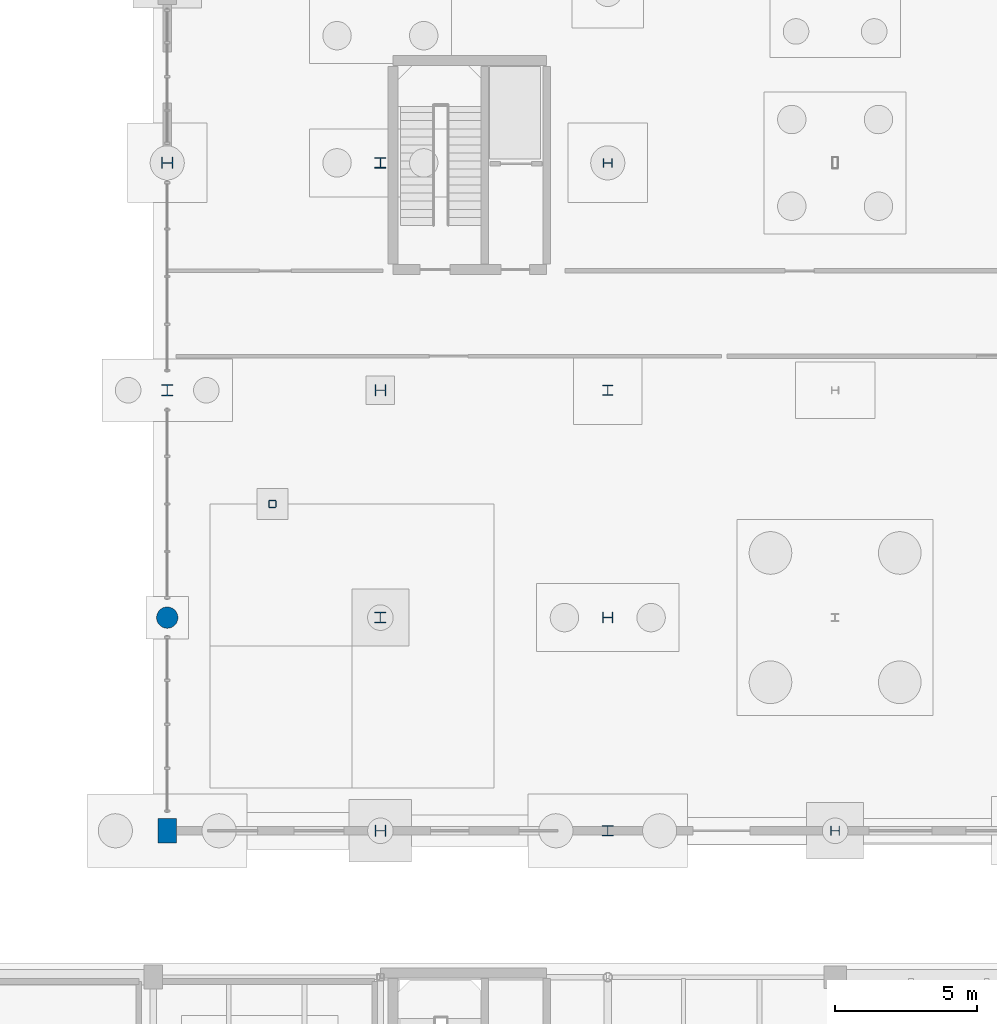
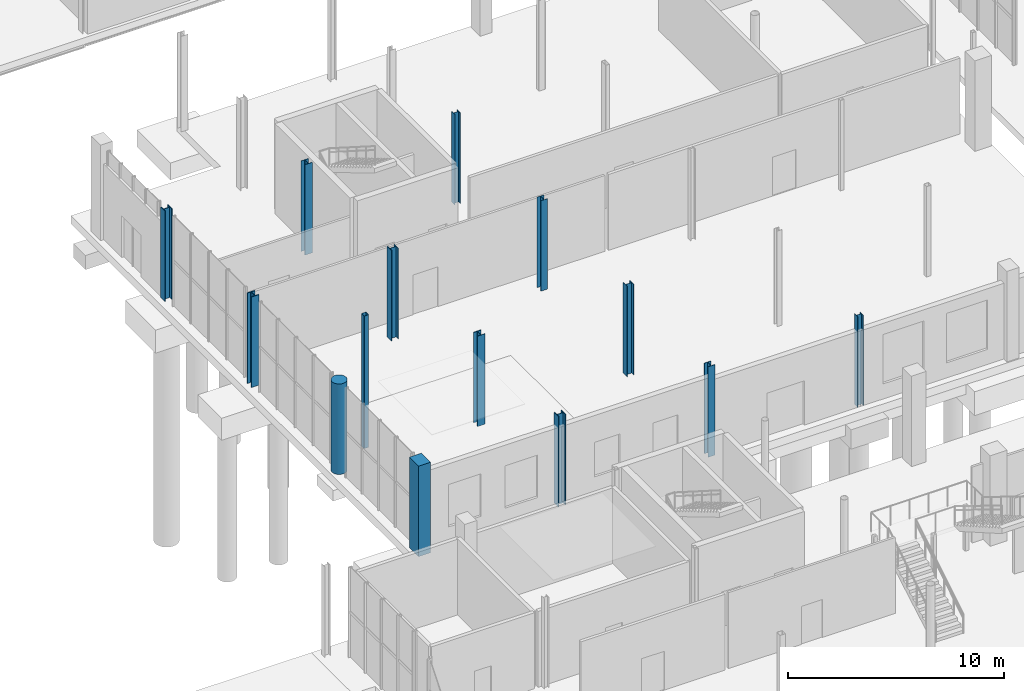
# One storey, part 9 of 87: 14 columns.
"""IFC4 building model written with IfcOpenShell, lengths in metres."""

from ifc_helpers import new_model, si_unit, direction, frame, origin, origin_2d, place, context, subcontext, project, spatial, rectangle, hollow_rectangle, circle, i_section, extrude, material, material_profile, profile_set, type_object, element, save


model = new_model("IFC4")

# Units and contexts
model_context = context("Model", 3, precision=1e-05, world=origin(), true_north=direction((0.0, 1.0)))
body_context = subcontext(model_context, "Body", "Model", "MODEL_VIEW")
ifc_project = project(units=[si_unit("LENGTHUNIT", "METRE"), si_unit("AREAUNIT", "SQUARE_METRE"), si_unit("VOLUMEUNIT", "CUBIC_METRE"), si_unit("PLANEANGLEUNIT", "RADIAN"), si_unit("MASSUNIT", "GRAM", prefix="KILO")], contexts=[model_context])

# Site, building, storey
site_placement = place(None, origin())
site = spatial("IfcSite", under=ifc_project, at=site_placement, CompositionType="ELEMENT")
building_placement = place(site_placement, origin())
building = spatial("IfcBuilding", under=site, at=building_placement, Name="Brisemont Oceanarium", CompositionType="ELEMENT")
storey_placement = place(building_placement, origin())
storey = spatial("IfcBuildingStorey", under=building, at=storey_placement, Name="L00", CompositionType="ELEMENT", Elevation=0.0)

# Columns
ifc_material_1 = material(Name="Structural Steel ASTM A500 Gr.C", Category="steel")
ifc_material_profile_1 = material_profile(ifc_material_1, hollow_rectangle(XDim=0.25390625, YDim=0.25390625, WallThickness=0.01171875, InnerFilletRadius=0.01220703125, OuterFilletRadius=0.02392578125, at=origin_2d()), Name="HSS10X10X1/2")
ifc_profile_set_1 = profile_set([ifc_material_profile_1], Name="Structural Steel ASTM A500 Gr.C")
column_type_1 = type_object("IfcColumnType", Name="COL-HSS10X10", PredefinedType="COLUMN", material=ifc_profile_set_1)
column_1_placement = place(storey_placement, frame((20.199951171875, 48.0, -2.39990234375), z_axis=(0.0, 0.0, 1.0), x_axis=(1.0, 0.0, 0.0)))
element("IfcColumn", 1, at=column_1_placement, inside=storey, type_object=column_type_1, Name="V5W terrace interior pier L00.3", PredefinedType="COLUMN", context=body_context, shape_type="SweptSolid", body=[
    extrude(hollow_rectangle(XDim=0.25390625, YDim=0.25390625, WallThickness=0.01171875, InnerFilletRadius=0.01220703125, OuterFilletRadius=0.02392578125, at=origin_2d()), origin(), (0.0, 0.0, 1.0), 7.5),
])
ifc_material_2 = material(Name="Concrete C40/50", Category="concrete")
ifc_material_profile_2 = material_profile(ifc_material_2, circle(Radius=0.375, at=origin_2d()), Name="RC-COL-D750")
ifc_profile_set_2 = profile_set([ifc_material_profile_2], Name="Concrete C40/50")
column_type_2 = type_object("IfcColumnType", Name="COL-RCD750", PredefinedType="COLUMN", material=ifc_profile_set_2)
column_2_placement = place(storey_placement, frame((16.5, 44.0, 0.0), z_axis=(0.0, 0.0, 1.0), x_axis=(0.0, 1.0, 0.0)))
element("IfcColumn", 2, at=column_2_placement, inside=storey, type_object=column_type_2, Name="V5W L00 column (0,1)", PredefinedType="COLUMN", context=body_context, shape_type="SweptSolid", body=[
    extrude(circle(Radius=0.375, at=origin_2d()), origin(), (0.0, 0.0, 1.0), 5.1201171875),
])
ifc_material_3 = material(Name="Structural Steel ASTM A992 Gr.50", Category="steel")
ifc_material_profile_3 = material_profile(ifc_material_3, i_section(OverallWidth=0.304931640625, OverallDepth=0.306884765625, WebThickness=0.010009765625, FlangeThickness=0.015380859375, FilletRadius=0.012939453125, at=origin_2d()), Name="W12X65")
ifc_profile_set_3 = profile_set([ifc_material_profile_3], Name="Structural Steel ASTM A992 Gr.50")
column_type_3 = type_object("IfcColumnType", Name="COL-W12X65", PredefinedType="COLUMN", material=ifc_profile_set_3)
column_3_placement = place(storey_placement, frame((40.0, 36.5, 0.0), z_axis=(0.0, 0.0, 1.0), x_axis=(0.0, 1.0, 0.0)))
element("IfcColumn", 3, at=column_3_placement, inside=storey, type_object=column_type_3, Name="V5W L00 column (3,0)", PredefinedType="COLUMN", context=body_context, shape_type="SweptSolid", body=[
    extrude(i_section(OverallWidth=0.304931640625, OverallDepth=0.306884765625, WebThickness=0.010009765625, FlangeThickness=0.015380859375, FilletRadius=0.012939453125, at=origin_2d()), origin(), (0.0, 0.0, 1.0), 5.1201171875),
])
ifc_material_4 = material(Name="Structural Steel ASTM A992 Gr.50", Category="steel")
ifc_material_profile_4 = material_profile(ifc_material_4, i_section(OverallWidth=0.30810546875, OverallDepth=0.318115234375, WebThickness=0.01318359375, FlangeThickness=0.0205078125, FilletRadius=0.012939453125, at=origin_2d()), Name="W12X87")
ifc_profile_set_4 = profile_set([ifc_material_profile_4], Name="Structural Steel ASTM A992 Gr.50")
column_type_4 = type_object("IfcColumnType", Name="COL-W12X87", PredefinedType="COLUMN", material=ifc_profile_set_4)
column_4_placement = place(storey_placement, frame((32.0, 60.0, 0.0), z_axis=(0.0, 0.0, 1.0), x_axis=(0.0, 1.0, 0.0)))
element("IfcColumn", 4, at=column_4_placement, inside=storey, type_object=column_type_4, Name="V5W L00 column (2,3)", PredefinedType="COLUMN", context=body_context, shape_type="SweptSolid", body=[
    extrude(i_section(OverallWidth=0.30810546875, OverallDepth=0.318115234375, WebThickness=0.01318359375, FlangeThickness=0.0205078125, FilletRadius=0.012939453125, at=origin_2d()), origin(), (0.0, 0.0, 1.0), 5.1201171875),
])
ifc_material_5 = material(Name="Structural Steel ASTM A992 Gr.50", Category="steel")
ifc_material_profile_5 = material_profile(ifc_material_5, i_section(OverallWidth=0.37109375, OverallDepth=0.364013671875, WebThickness=0.01318359375, FlangeThickness=0.021728515625, FilletRadius=0.014892578125, at=origin_2d()), Name="W14X109")
ifc_profile_set_5 = profile_set([ifc_material_profile_5], Name="Structural Steel ASTM A992 Gr.50")
column_type_5 = type_object("IfcColumnType", Name="COL-W14X109", PredefinedType="COLUMN", material=ifc_profile_set_5)
column_5_placement = place(storey_placement, frame((32.0, 36.5, 0.0), z_axis=(0.0, 0.0, 1.0), x_axis=(1.0, 0.0, 0.0)))
element("IfcColumn", 5, at=column_5_placement, inside=storey, type_object=column_type_5, Name="V5W L00 column (2,0)", PredefinedType="COLUMN", context=body_context, shape_type="SweptSolid", body=[
    extrude(i_section(OverallWidth=0.37109375, OverallDepth=0.364013671875, WebThickness=0.01318359375, FlangeThickness=0.021728515625, FilletRadius=0.014892578125, at=origin_2d()), origin(), (0.0, 0.0, 1.0), 5.1201171875),
])
ifc_material_6 = material(Name="Structural Steel ASTM A992 Gr.50", Category="steel")
ifc_material_profile_6 = material_profile(ifc_material_6, i_section(OverallWidth=0.39404296875, OverallDepth=0.3759765625, WebThickness=0.017333984375, FlangeThickness=0.027587890625, FilletRadius=0.014892578125, at=origin_2d()), Name="W14X145")
ifc_profile_set_6 = profile_set([ifc_material_profile_6], Name="Structural Steel ASTM A992 Gr.50")
column_type_6 = type_object("IfcColumnType", Name="COL-W14X145", PredefinedType="COLUMN", material=ifc_profile_set_6)
column_6_placement = place(storey_placement, frame((24.0, 60.0, 0.0), z_axis=(0.0, 0.0, 1.0), x_axis=(1.0, 0.0, 0.0)))
element("IfcColumn", 6, at=column_6_placement, inside=storey, type_object=column_type_6, Name="V5W L00 column (1,3)", PredefinedType="COLUMN", context=body_context, shape_type="SweptSolid", body=[
    extrude(i_section(OverallWidth=0.39404296875, OverallDepth=0.3759765625, WebThickness=0.017333984375, FlangeThickness=0.027587890625, FilletRadius=0.014892578125, at=origin_2d()), origin(), (0.0, 0.0, 1.0), 5.1201171875),
])
ifc_material_7 = material(Name="Structural Steel ASTM A992 Gr.50", Category="steel")
ifc_material_profile_7 = material_profile(ifc_material_7, i_section(OverallWidth=0.39501953125, OverallDepth=0.3798828125, WebThickness=0.018798828125, FlangeThickness=0.0302734375, FilletRadius=0.014892578125, at=origin_2d()), Name="W14X159")
ifc_profile_set_7 = profile_set([ifc_material_profile_7], Name="Structural Steel ASTM A992 Gr.50")
column_type_7 = type_object("IfcColumnType", Name="COL-W14X159", PredefinedType="COLUMN", material=ifc_profile_set_7)
column_7_placement = place(storey_placement, frame((24.0, 52.0, 0.0), z_axis=(0.0, 0.0, 1.0), x_axis=(0.0, 1.0, 0.0)))
element("IfcColumn", 7, at=column_7_placement, inside=storey, type_object=column_type_7, Name="V5W L00 column (1,2)", PredefinedType="COLUMN", context=body_context, shape_type="SweptSolid", body=[
    extrude(i_section(OverallWidth=0.39501953125, OverallDepth=0.3798828125, WebThickness=0.018798828125, FlangeThickness=0.0302734375, FilletRadius=0.014892578125, at=origin_2d()), origin(), (0.0, 0.0, 1.0), 5.1201171875),
])
ifc_material_8 = material(Name="Structural Steel ASTM A992 Gr.50", Category="steel")
ifc_material_profile_8 = material_profile(ifc_material_8, i_section(OverallWidth=0.39892578125, OverallDepth=0.385986328125, WebThickness=0.02099609375, FlangeThickness=0.033203125, FilletRadius=0.014892578125, at=origin_2d()), Name="W14X176")
ifc_profile_set_8 = profile_set([ifc_material_profile_8], Name="Structural Steel ASTM A992 Gr.50")
column_type_8 = type_object("IfcColumnType", Name="COL-W14X176", PredefinedType="COLUMN", material=ifc_profile_set_8)
column_8_placement = place(storey_placement, frame((24.0, 44.0, 0.0), z_axis=(0.0, 0.0, 1.0), x_axis=(1.0, 0.0, 0.0)))
element("IfcColumn", 8, at=column_8_placement, inside=storey, type_object=column_type_8, Name="V5W L00 column (1,1)", PredefinedType="COLUMN", context=body_context, shape_type="SweptSolid", body=[
    extrude(i_section(OverallWidth=0.39892578125, OverallDepth=0.385986328125, WebThickness=0.02099609375, FlangeThickness=0.033203125, FilletRadius=0.014892578125, at=origin_2d()), origin(), (0.0, 0.0, 1.0), 5.1201171875),
])
ifc_material_9 = material(Name="Structural Steel ASTM A992 Gr.50", Category="steel")
ifc_material_profile_9 = material_profile(ifc_material_9, i_section(OverallWidth=0.39990234375, OverallDepth=0.39306640625, WebThickness=0.022705078125, FlangeThickness=0.03662109375, FilletRadius=0.014892578125, at=origin_2d()), Name="W14X193")
ifc_profile_set_9 = profile_set([ifc_material_profile_9], Name="Structural Steel ASTM A992 Gr.50")
column_type_9 = type_object("IfcColumnType", Name="COL-W14X193", PredefinedType="COLUMN", material=ifc_profile_set_9)
column_9_placement = place(storey_placement, frame((24.0, 36.5, 0.0), z_axis=(0.0, 0.0, 1.0), x_axis=(0.0, 1.0, 0.0)))
element("IfcColumn", 9, at=column_9_placement, inside=storey, type_object=column_type_9, Name="V5W L00 column (1,0)", PredefinedType="COLUMN", context=body_context, shape_type="SweptSolid", body=[
    extrude(i_section(OverallWidth=0.39990234375, OverallDepth=0.39306640625, WebThickness=0.022705078125, FlangeThickness=0.03662109375, FilletRadius=0.014892578125, at=origin_2d()), origin(), (0.0, 0.0, 1.0), 5.1201171875),
])
ifc_material_10 = material(Name="Structural Steel ASTM A992 Gr.50", Category="steel")
ifc_material_profile_10 = material_profile(ifc_material_10, i_section(OverallWidth=0.404052734375, OverallDepth=0.406982421875, WebThickness=0.027099609375, FlangeThickness=0.043701171875, FilletRadius=0.014892578125, at=origin_2d()), Name="W14X233")
ifc_profile_set_10 = profile_set([ifc_material_profile_10], Name="Structural Steel ASTM A992 Gr.50")
column_type_10 = type_object("IfcColumnType", Name="COL-W14X233", PredefinedType="COLUMN", material=ifc_profile_set_10)
column_10_placement = place(storey_placement, frame((16.5, 60.0, 0.0), z_axis=(0.0, 0.0, 1.0), x_axis=(0.0, 1.0, 0.0)))
element("IfcColumn", 10, at=column_10_placement, inside=storey, type_object=column_type_10, Name="V5W L00 column (0,3)", PredefinedType="COLUMN", context=body_context, shape_type="SweptSolid", body=[
    extrude(i_section(OverallWidth=0.404052734375, OverallDepth=0.406982421875, WebThickness=0.027099609375, FlangeThickness=0.043701171875, FilletRadius=0.014892578125, at=origin_2d()), origin(), (0.0, 0.0, 1.0), 5.1201171875),
])
ifc_material_11 = material(Name="Structural Steel ASTM A992 Gr.50", Category="steel")
ifc_material_profile_11 = material_profile(ifc_material_11, i_section(OverallWidth=0.406005859375, OverallDepth=0.416015625, WebThickness=0.02978515625, FlangeThickness=0.048095703125, FilletRadius=0.014892578125, at=origin_2d()), Name="W14X257")
ifc_profile_set_11 = profile_set([ifc_material_profile_11], Name="Structural Steel ASTM A992 Gr.50")
column_type_11 = type_object("IfcColumnType", Name="COL-W14X257", PredefinedType="COLUMN", material=ifc_profile_set_11)
column_11_placement = place(storey_placement, frame((16.5, 52.0, 0.0), z_axis=(0.0, 0.0, 1.0), x_axis=(1.0, 0.0, 0.0)))
element("IfcColumn", 11, at=column_11_placement, inside=storey, type_object=column_type_11, Name="V5W L00 column (0,2)", PredefinedType="COLUMN", context=body_context, shape_type="SweptSolid", body=[
    extrude(i_section(OverallWidth=0.406005859375, OverallDepth=0.416015625, WebThickness=0.02978515625, FlangeThickness=0.048095703125, FilletRadius=0.014892578125, at=origin_2d()), origin(), (0.0, 0.0, 1.0), 5.1201171875),
])
ifc_material_12 = material(Name="Structural Steel ASTM A992 Gr.50", Category="steel")
ifc_material_profile_12 = material_profile(ifc_material_12, i_section(OverallWidth=0.367919921875, OverallDepth=0.35595703125, WebThickness=0.01123046875, FlangeThickness=0.01806640625, FilletRadius=0.014892578125, at=origin_2d()), Name="W14X90")
ifc_profile_set_12 = profile_set([ifc_material_profile_12], Name="Structural Steel ASTM A992 Gr.50")
column_type_12 = type_object("IfcColumnType", Name="COL-W14X90", PredefinedType="COLUMN", material=ifc_profile_set_12)
column_12_placement = place(storey_placement, frame((32.0, 52.0, 0.0), z_axis=(0.0, 0.0, 1.0), x_axis=(1.0, 0.0, 0.0)))
element("IfcColumn", 12, at=column_12_placement, inside=storey, type_object=column_type_12, Name="V5W L00 column (2,2)", PredefinedType="COLUMN", context=body_context, shape_type="SweptSolid", body=[
    extrude(i_section(OverallWidth=0.367919921875, OverallDepth=0.35595703125, WebThickness=0.01123046875, FlangeThickness=0.01806640625, FilletRadius=0.014892578125, at=origin_2d()), origin(), (0.0, 0.0, 1.0), 5.1201171875),
])
ifc_material_13 = material(Name="Structural Steel ASTM A992 Gr.50", Category="steel")
ifc_material_profile_13 = material_profile(ifc_material_13, i_section(OverallWidth=0.37109375, OverallDepth=0.361083984375, WebThickness=0.01220703125, FlangeThickness=0.019775390625, FilletRadius=0.014892578125, at=origin_2d()), Name="W14X99")
ifc_profile_set_13 = profile_set([ifc_material_profile_13], Name="Structural Steel ASTM A992 Gr.50")
column_type_13 = type_object("IfcColumnType", Name="COL-W14X99", PredefinedType="COLUMN", material=ifc_profile_set_13)
column_13_placement = place(storey_placement, frame((32.0, 44.0, 0.0), z_axis=(0.0, 0.0, 1.0), x_axis=(0.0, 1.0, 0.0)))
element("IfcColumn", 13, at=column_13_placement, inside=storey, type_object=column_type_13, Name="V5W L00 column (2,1)", PredefinedType="COLUMN", context=body_context, shape_type="SweptSolid", body=[
    extrude(i_section(OverallWidth=0.37109375, OverallDepth=0.361083984375, WebThickness=0.01220703125, FlangeThickness=0.019775390625, FilletRadius=0.014892578125, at=origin_2d()), origin(), (0.0, 0.0, 1.0), 5.1201171875),
])
ifc_material_14 = material(Name="Precast Concrete C40/50", Category="concrete")
ifc_material_profile_14 = material_profile(ifc_material_14, rectangle(XDim=0.64990234375, YDim=0.85009765625, at=origin_2d()), Name="RC-PIL-650X850")
ifc_profile_set_14 = profile_set([ifc_material_profile_14], Name="Precast Concrete C40/50")
column_type_14 = type_object("IfcColumnType", Name="PIL-RC650X850", PredefinedType="PILASTER", material=ifc_profile_set_14)
column_14_placement = place(storey_placement, frame((16.5, 36.5, 0.0), z_axis=(0.0, 0.0, 1.0), x_axis=(1.0, 0.0, 0.0)))
element("IfcColumn", 14, at=column_14_placement, inside=storey, type_object=column_type_14, Name="V5W L00 column (0,0)", PredefinedType="PILASTER", context=body_context, shape_type="SweptSolid", body=[
    extrude(rectangle(XDim=0.64990234375, YDim=0.85009765625, at=origin_2d()), origin(), (0.0, 0.0, 1.0), 5.1201171875),
])

save(model, "model.ifc")
